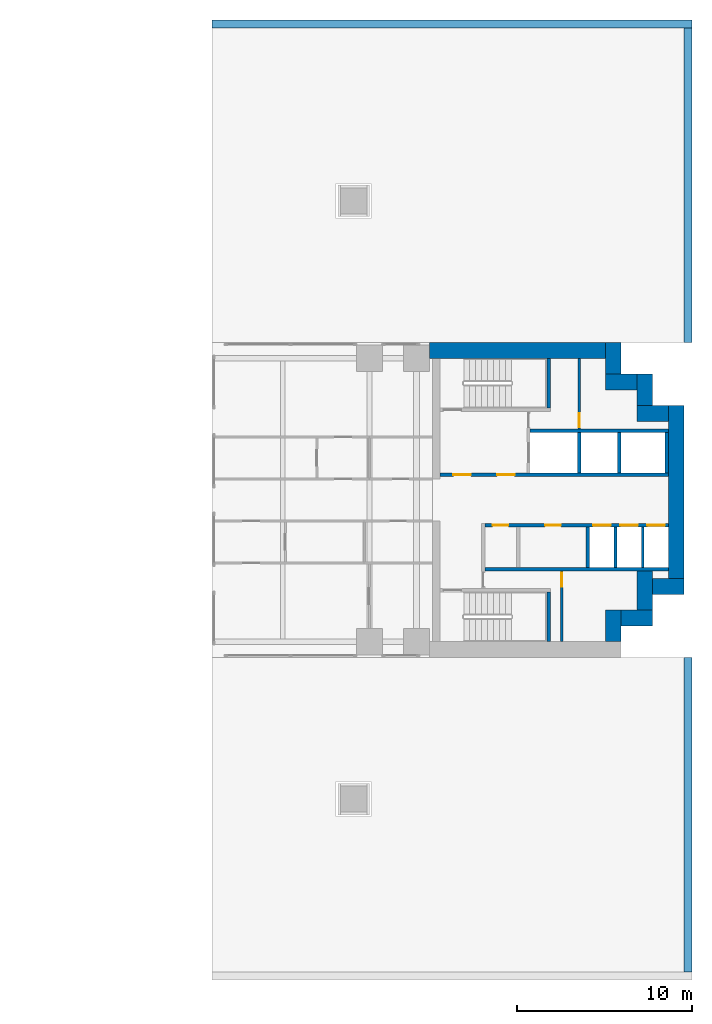
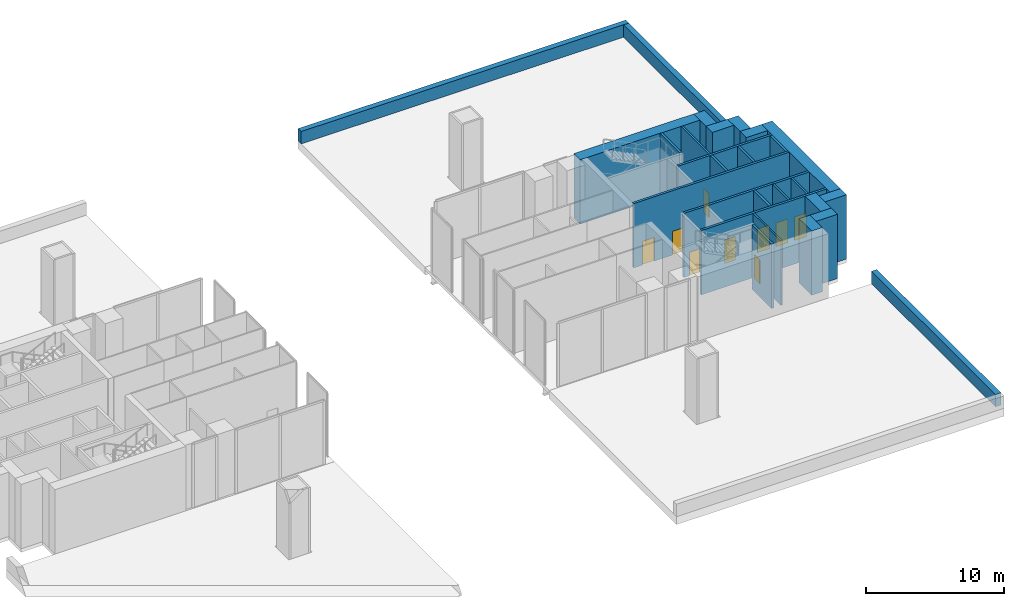
# One storey, part 9 of 13: 27 walls, 9 doors, 9 openings.
"""IFC4 building model written with IfcOpenShell, lengths in metres."""

from ifc_helpers import new_model, si_unit, direction, frame, frame_2d, origin, place, context, subcontext, project, spatial, rectangle, extrude, material, layer, layer_set, type_object, element, fill, save


model = new_model("IFC4")

# Units and contexts
model_context = context("Model", 3, precision=1e-05, world=origin(), true_north=direction((0.0, 1.0)))
body_context = subcontext(model_context, "Body", "Model", "MODEL_VIEW")
ifc_project = project(units=[si_unit("LENGTHUNIT", "METRE"), si_unit("AREAUNIT", "SQUARE_METRE"), si_unit("VOLUMEUNIT", "CUBIC_METRE"), si_unit("PLANEANGLEUNIT", "RADIAN"), si_unit("MASSUNIT", "GRAM", prefix="KILO")], contexts=[model_context])

# Site, building, storey
site_placement = place(None, origin())
site = spatial("IfcSite", under=ifc_project, at=site_placement, CompositionType="ELEMENT")
building_placement = place(site_placement, origin())
building = spatial("IfcBuilding", under=site, at=building_placement, Name="Perihelion Cross Residences", CompositionType="ELEMENT")
storey_placement = place(building_placement, frame((0.0, 0.0, 15.0)))
storey = spatial("IfcBuildingStorey", under=building, at=storey_placement, Name="L01", CompositionType="ELEMENT", Elevation=15.0)

# Walls
ifc_material_1 = material(Name="Concrete C60/75", Category="concrete")
ifc_layer_1 = layer(ifc_material_1, 0.89990234375)
ifc_layer_set_1 = layer_set([ifc_layer_1], Name="Core wall, outer 900")
wall_type_1 = type_object("IfcWallType", Name="Core wall, outer 900", PredefinedType="SHEAR", material=ifc_layer_set_1)
for number, where, z_axis, x_axis, name in (
    (1, (31.949951171875, -8.10009765625, 0.0), (0.0, 0.0, 1.0), (0.0, 1.0, 0.0), "East core core wall, outer"),
    (2, (32.39990234375, -6.75, 0.0), (0.0, 0.0, 1.0), (1.0, 0.0, 0.0), "East core core wall, outer"),
):
    element("IfcWall", number, at=place(storey_placement, frame(where, z_axis=z_axis, x_axis=x_axis)), inside=storey, type_object=wall_type_1, Name=name, PredefinedType="SHEAR", context=body_context, shape_type="SweptSolid", body=[
        extrude(rectangle(XDim=1.800048828125, YDim=0.89990234375, at=frame_2d((0.89990234375, 0.0))), origin(), (0.0, 0.0, 1.0), 5.699951171875),
    ])
wall_1_placement = place(storey_placement, frame((33.75, -6.300048828125, 0.0), z_axis=(0.0, 0.0, 1.0), x_axis=(0.0, 1.0, 0.0)))
element("IfcWall", 3, at=wall_1_placement, inside=storey, type_object=wall_type_1, Name="East core core wall, outer", PredefinedType="SHEAR", context=body_context, shape_type="SweptSolid", body=[
    extrude(rectangle(XDim=2.25, YDim=0.89990234375, at=frame_2d((1.125, 0.0))), origin(), (0.0, 0.0, 1.0), 5.699951171875),
])
wall_2_placement = place(storey_placement, frame((34.199951171875, -4.949951171875, 0.0), z_axis=(0.0, 0.0, 1.0), x_axis=(1.0, 0.0, 0.0)))
element("IfcWall", 4, at=wall_2_placement, inside=storey, type_object=wall_type_1, Name="East core core wall, outer", PredefinedType="SHEAR", context=body_context, shape_type="SweptSolid", body=[
    extrude(rectangle(XDim=1.800048828125, YDim=0.89990234375, at=frame_2d((0.89990234375, 0.0))), origin(), (0.0, 0.0, 1.0), 5.699951171875),
])
wall_3_placement = place(storey_placement, frame((35.550048828125, -4.5, 0.0), z_axis=(0.0, 0.0, 1.0), x_axis=(0.0, 1.0, 0.0)))
element("IfcWall", 5, at=wall_3_placement, inside=storey, type_object=wall_type_1, Name="East core core wall, outer", PredefinedType="SHEAR", context=body_context, shape_type="SweptSolid", body=[
    extrude(rectangle(XDim=9.89990234375, YDim=0.89990234375, at=frame_2d((4.949951171875, 0.0))), origin(), (0.0, 0.0, 1.0), 5.699951171875),
])
for number, where, z_axis, x_axis, name in (
    (6, (33.300048828125, 4.949951171875, 0.0), (0.0, 0.0, 1.0), (1.0, 0.0, 0.0), "East core core wall, outer"),
    (7, (33.75, 5.39990234375, 0.0), (0.0, 0.0, 1.0), (0.0, 1.0, 0.0), "East core core wall, outer"),
    (8, (31.5, 6.75, 0.0), (0.0, 0.0, 1.0), (1.0, 0.0, 0.0), "East core core wall, outer"),
    (9, (31.949951171875, 7.199951171875, 0.0), (0.0, 0.0, 1.0), (0.0, 1.0, 0.0), "East core core wall, outer"),
):
    element("IfcWall", number, at=place(storey_placement, frame(where, z_axis=z_axis, x_axis=x_axis)), inside=storey, type_object=wall_type_1, Name=name, PredefinedType="SHEAR", context=body_context, shape_type="SweptSolid", body=[
        extrude(rectangle(XDim=1.800048828125, YDim=0.89990234375, at=frame_2d((0.89990234375, 0.0))), origin(), (0.0, 0.0, 1.0), 5.699951171875),
    ])
wall_4_placement = place(storey_placement, frame((21.449951171875, 8.550048828125, 0.0), z_axis=(0.0, 0.0, 1.0), x_axis=(1.0, 0.0, 0.0)))
element("IfcWall", 10, at=wall_4_placement, inside=storey, type_object=wall_type_1, Name="East core core wall, outer", PredefinedType="SHEAR", context=body_context, shape_type="SweptSolid", body=[
    extrude(rectangle(XDim=10.050048828125, YDim=0.89990234375, at=frame_2d((5.02490234375, 0.0))), origin(), (0.0, 0.0, 1.0), 5.699951171875),
])
ifc_material_2 = material(Name="Concrete C40/50", Category="concrete")
ifc_layer_2 = layer(ifc_material_2, 0.449951171875)
ifc_layer_set_2 = layer_set([ifc_layer_2], Name="Loggia parapet 450")
wall_type_2 = type_object("IfcWallType", Name="Loggia parapet 450", PredefinedType="PARAPET", material=ifc_layer_set_2)
wall_5_placement = place(storey_placement, frame((9.0, 27.22509765625, 0.0), z_axis=(0.0, 0.0, 1.0), x_axis=(1.0, 0.0, 0.0)))
element("IfcWall", 11, at=wall_5_placement, inside=storey, type_object=wall_type_2, Name="Wall PP2 L01 loggia parapet north-east north-south", PredefinedType="PARAPET", context=body_context, shape_type="SweptSolid", body=[
    extrude(rectangle(XDim=27.449951171875, YDim=0.449951171875, at=frame_2d((13.72509765625, 0.0))), origin(), (0.0, 0.0, 1.0), 1.10009765625),
])
for number, where, z_axis, x_axis, name in (
    (12, (36.22509765625, 9.0, 0.0), (0.0, 0.0, 1.0), (0.0, 1.0, 0.0), "Wall PP2 L01 loggia parapet north-east east-west"),
    (13, (36.22509765625, -9.0, 0.0), (0.0, 0.0, 1.0), (0.0, -1.0, 0.0), "Wall PP2 L01 loggia parapet south-east east-west"),
):
    element("IfcWall", number, at=place(storey_placement, frame(where, z_axis=z_axis, x_axis=x_axis)), inside=storey, type_object=wall_type_2, Name=name, PredefinedType="PARAPET", context=body_context, shape_type="SweptSolid", body=[
        extrude(rectangle(XDim=18.0, YDim=0.449951171875, at=frame_2d((9.0, 0.0))), origin(), (0.0, 0.0, 1.0), 1.10009765625),
    ])

# Wall, opening, door
ifc_material_3 = material(Name="Fire-rated board on steel stud", Category="steel")
ifc_layer_3 = layer(ifc_material_3, 0.14990234375)
ifc_layer_set_3 = layer_set([ifc_layer_3], Name="Riser wall 150")
wall_type_3 = type_object("IfcWallType", Name="Riser wall 150", PredefinedType="PARTITIONING", material=ifc_layer_set_3)
wall_6_placement = place(storey_placement, frame((30.0, 4.050048828125, 0.0), z_axis=(0.0, 0.0, 1.0), x_axis=(0.0, 1.0, 0.0)))
wall_6 = element("IfcWall", 14, at=wall_6_placement, inside=storey, type_object=wall_type_3, Name="East core riser wall", PredefinedType="PARTITIONING", context=body_context, shape_type="SweptSolid", body=[
    extrude(rectangle(XDim=4.050048828125, YDim=0.14990234375, at=frame_2d((2.02490234375, 0.0))), origin(), (0.0, 0.0, 1.0), 5.699951171875),
])
opening_1_placement = place(wall_6_placement, frame((0.10009765625, 0.0, 0.0)))
opening_1 = element("IfcOpeningElement", 15, at=opening_1_placement, cuts=wall_6, Name="Opening L01.C14", PredefinedType="OPENING", context=body_context, shape_type="SweptSolid", body=[
    extrude(rectangle(XDim=0.800048828125, YDim=2.10009765625, at=frame_2d((0.39990234375, 1.050048828125))), frame((0.0, 0.0849609375, 0.0), z_axis=(0.0, -1.0, 0.0), x_axis=(1.0, 0.0, 0.0)), (0.0, 0.0, 1.0), 0.169921875),
])
ifc_material_4 = material(Name="Steel, powder coated", Category="steel")
door_type_1 = type_object("IfcDoorType", Name="Riser door 800", OperationType="SINGLE_SWING_LEFT", PredefinedType="DOOR", material=ifc_material_4)
door_1_placement = place(opening_1_placement, origin())
door_1 = element("IfcDoor", 16, at=door_1_placement, inside=storey, type_object=door_type_1, Name="East core riser door", OperationType="SINGLE_SWING_LEFT", OverallHeight=2.10009765625, OverallWidth=0.800048828125, PredefinedType="DOOR", context=body_context, shape_type="SweptSolid", body=[
    extrude(rectangle(XDim=0.800048828125, YDim=2.10009765625, at=frame_2d((0.39990234375, 1.050048828125))), frame((0.0, 0.02490234375, 0.0), z_axis=(0.0, -1.0, 0.0), x_axis=(1.0, 0.0, 0.0)), (0.0, 0.0, 1.0), 0.050048828125),
])
fill(opening_1, door_1)

wall_7_placement = place(storey_placement, frame((29.0, -8.10009765625, 0.0), z_axis=(0.0, 0.0, 1.0), x_axis=(0.0, 1.0, 0.0)))
wall_7 = element("IfcWall", 17, at=wall_7_placement, inside=storey, type_object=wall_type_3, Name="East core riser wall", PredefinedType="PARTITIONING", context=body_context, shape_type="SweptSolid", body=[
    extrude(rectangle(XDim=4.050048828125, YDim=0.14990234375, at=frame_2d((2.02490234375, 0.0))), origin(), (0.0, 0.0, 1.0), 5.699951171875),
])
opening_2_placement = place(wall_7_placement, frame((3.14990234375, 0.0, 0.0)))
opening_2 = element("IfcOpeningElement", 18, at=opening_2_placement, cuts=wall_7, Name="Opening L01.C13", PredefinedType="OPENING", context=body_context, shape_type="SweptSolid", body=[
    extrude(rectangle(XDim=0.800048828125, YDim=2.10009765625, at=frame_2d((0.39990234375, 1.050048828125))), frame((0.0, 0.0849609375, 0.0), z_axis=(0.0, -1.0, 0.0), x_axis=(1.0, 0.0, 0.0)), (0.0, 0.0, 1.0), 0.169921875),
])
door_2_placement = place(opening_2_placement, origin())
door_2 = element("IfcDoor", 19, at=door_2_placement, inside=storey, type_object=door_type_1, Name="East core riser door", OperationType="SINGLE_SWING_LEFT", OverallHeight=2.10009765625, OverallWidth=0.800048828125, PredefinedType="DOOR", context=body_context, shape_type="SweptSolid", body=[
    extrude(rectangle(XDim=0.800048828125, YDim=2.10009765625, at=frame_2d((0.39990234375, 1.050048828125))), frame((0.0, 0.02490234375, 0.0), z_axis=(0.0, -1.0, 0.0), x_axis=(1.0, 0.0, 0.0)), (0.0, 0.0, 1.0), 0.050048828125),
])
fill(opening_2, door_2)

# Walls
ifc_material_5 = material(Name="Concrete C50/60", Category="concrete")
ifc_layer_4 = layer(ifc_material_5, 0.14990234375)
ifc_layer_set_4 = layer_set([ifc_layer_4], Name="Shaft wall 150")
wall_type_4 = type_object("IfcWallType", Name="Shaft wall 150", PredefinedType="SOLIDWALL", material=ifc_layer_set_4)
for number, where, z_axis, x_axis, name in (
    (20, (32.074951171875, -3.85009765625, 0.0), (0.0, 0.0, 1.0), (0.0, 1.0, 0.0), "East core shaft wall"),
    (21, (33.625, -3.85009765625, 0.0), (0.0, 0.0, 1.0), (0.0, 1.0, 0.0), "East core shaft wall"),
):
    element("IfcWall", number, at=place(storey_placement, frame(where, z_axis=z_axis, x_axis=x_axis)), inside=storey, type_object=wall_type_4, Name=name, PredefinedType="SOLIDWALL", context=body_context, shape_type="SweptSolid", body=[
        extrude(rectangle(XDim=2.300048828125, YDim=0.14990234375, at=frame_2d((1.14990234375, 0.0))), origin(), (0.0, 0.0, 1.0), 5.699951171875),
    ])

# Wall, openings, doors
ifc_material_6 = material(Name="Concrete C50/60", Category="concrete")
ifc_layer_5 = layer(ifc_material_6, 0.199951171875)
ifc_layer_set_5 = layer_set([ifc_layer_5], Name="Shaft wall 200")
wall_type_5 = type_object("IfcWallType", Name="Shaft wall 200", PredefinedType="SOLIDWALL", material=ifc_layer_set_5)
wall_8_placement = place(storey_placement, frame((22.050048828125, 1.449951171875, 0.0), z_axis=(0.0, 0.0, 1.0), x_axis=(1.0, 0.0, 0.0)))
wall_8 = element("IfcWall", 22, at=wall_8_placement, inside=storey, type_object=wall_type_5, Name="East core shaft wall", PredefinedType="SOLIDWALL", context=body_context, shape_type="SweptSolid", body=[
    extrude(rectangle(XDim=13.050048828125, YDim=0.199951171875, at=frame_2d((6.52490234375, 0.0))), origin(), (0.0, 0.0, 1.0), 5.699951171875),
])
opening_3_placement = place(wall_8_placement, frame((0.75, 0.0, 0.0)))
opening_3 = element("IfcOpeningElement", 23, at=opening_3_placement, cuts=wall_8, Name="Opening L01.C07", PredefinedType="OPENING", context=body_context, shape_type="SweptSolid", body=[
    extrude(rectangle(XDim=1.0, YDim=2.10009765625, at=frame_2d((0.5, 1.050048828125))), frame((0.0, 0.10986328125, 0.0), z_axis=(0.0, -1.0, 0.0), x_axis=(1.0, 0.0, 0.0)), (0.0, 0.0, 1.0), 0.219970703125),
])
opening_4_placement = place(wall_8_placement, frame((3.25, 0.0, 0.0)))
opening_4 = element("IfcOpeningElement", 24, at=opening_4_placement, cuts=wall_8, Name="Opening L01.C10", PredefinedType="OPENING", context=body_context, shape_type="SweptSolid", body=[
    extrude(rectangle(XDim=1.0, YDim=2.10009765625, at=frame_2d((0.5, 1.050048828125))), frame((0.0, 0.10986328125, 0.0), z_axis=(0.0, -1.0, 0.0), x_axis=(1.0, 0.0, 0.0)), (0.0, 0.0, 1.0), 0.219970703125),
])
ifc_material_7 = material(Name="Steel, powder coated", Category="steel")
door_type_2 = type_object("IfcDoorType", Name="Lobby door 1000", OperationType="SINGLE_SWING_LEFT", PredefinedType="DOOR", material=ifc_material_7)
door_3_placement = place(opening_3_placement, origin())
door_3 = element("IfcDoor", 25, at=door_3_placement, inside=storey, type_object=door_type_2, Name="East core firefighting lobby door", OperationType="SINGLE_SWING_LEFT", OverallHeight=2.10009765625, OverallWidth=1.0, PredefinedType="DOOR", context=body_context, shape_type="SweptSolid", body=[
    extrude(rectangle(XDim=1.0, YDim=2.10009765625, at=frame_2d((0.5, 1.050048828125))), frame((0.0, 0.02490234375, 0.0), z_axis=(0.0, -1.0, 0.0), x_axis=(1.0, 0.0, 0.0)), (0.0, 0.0, 1.0), 0.050048828125),
])
fill(opening_3, door_3)
door_4_placement = place(opening_4_placement, origin())
door_4 = element("IfcDoor", 26, at=door_4_placement, inside=storey, type_object=door_type_2, Name="East core firefighting lobby door", OperationType="SINGLE_SWING_LEFT", OverallHeight=2.10009765625, OverallWidth=1.0, PredefinedType="DOOR", context=body_context, shape_type="SweptSolid", body=[
    extrude(rectangle(XDim=1.0, YDim=2.10009765625, at=frame_2d((0.5, 1.050048828125))), frame((0.0, 0.02490234375, 0.0), z_axis=(0.0, -1.0, 0.0), x_axis=(1.0, 0.0, 0.0)), (0.0, 0.0, 1.0), 0.050048828125),
])
fill(opening_4, door_4)

wall_9_placement = place(storey_placement, frame((24.60009765625, -1.449951171875, 0.0), z_axis=(0.0, 0.0, 1.0), x_axis=(1.0, 0.0, 0.0)))
wall_9 = element("IfcWall", 27, at=wall_9_placement, inside=storey, type_object=wall_type_5, Name="East core shaft wall", PredefinedType="SOLIDWALL", context=body_context, shape_type="SweptSolid", body=[
    extrude(rectangle(XDim=10.5, YDim=0.199951171875, at=frame_2d((5.25, 0.0))), origin(), (0.0, 0.0, 1.0), 5.699951171875),
])
opening_5_placement = place(wall_9_placement, frame((6.199951171875, 0.0, 0.0)))
opening_5 = element("IfcOpeningElement", 28, at=opening_5_placement, cuts=wall_9, Name="Opening L01.C02", PredefinedType="OPENING", context=body_context, shape_type="SweptSolid", body=[
    extrude(rectangle(XDim=1.0, YDim=2.10009765625, at=frame_2d((0.5, 1.050048828125))), frame((0.0, 0.10986328125, 0.0), z_axis=(0.0, -1.0, 0.0), x_axis=(1.0, 0.0, 0.0)), (0.0, 0.0, 1.0), 0.219970703125),
])
opening_6_placement = place(wall_9_placement, frame((7.75, 0.0, 0.0)))
opening_6 = element("IfcOpeningElement", 29, at=opening_6_placement, cuts=wall_9, Name="Opening L01.C03", PredefinedType="OPENING", context=body_context, shape_type="SweptSolid", body=[
    extrude(rectangle(XDim=1.0, YDim=2.10009765625, at=frame_2d((0.5, 1.050048828125))), frame((0.0, 0.10986328125, 0.0), z_axis=(0.0, -1.0, 0.0), x_axis=(1.0, 0.0, 0.0)), (0.0, 0.0, 1.0), 0.219970703125),
])
opening_7_placement = place(wall_9_placement, frame((9.300048828125, 0.0, 0.0)))
opening_7 = element("IfcOpeningElement", 30, at=opening_7_placement, cuts=wall_9, Name="Opening L01.C04", PredefinedType="OPENING", context=body_context, shape_type="SweptSolid", body=[
    extrude(rectangle(XDim=1.0, YDim=2.10009765625, at=frame_2d((0.5, 1.050048828125))), frame((0.0, 0.10986328125, 0.0), z_axis=(0.0, -1.0, 0.0), x_axis=(1.0, 0.0, 0.0)), (0.0, 0.0, 1.0), 0.219970703125),
])
opening_8_placement = place(wall_9_placement, frame((0.449951171875, 0.0, 0.0)))
opening_8 = element("IfcOpeningElement", 31, at=opening_8_placement, cuts=wall_9, Name="Opening L01.C09", PredefinedType="OPENING", context=body_context, shape_type="SweptSolid", body=[
    extrude(rectangle(XDim=0.89990234375, YDim=2.10009765625, at=frame_2d((0.449951171875, 1.050048828125))), frame((0.0, 0.10986328125, 0.0), z_axis=(0.0, -1.0, 0.0), x_axis=(1.0, 0.0, 0.0)), (0.0, 0.0, 1.0), 0.219970703125),
])
opening_9_placement = place(wall_9_placement, frame((3.449951171875, 0.0, 0.0)))
opening_9 = element("IfcOpeningElement", 32, at=opening_9_placement, cuts=wall_9, Name="Opening L01.C12", PredefinedType="OPENING", context=body_context, shape_type="SweptSolid", body=[
    extrude(rectangle(XDim=0.89990234375, YDim=2.10009765625, at=frame_2d((0.449951171875, 1.050048828125))), frame((0.0, 0.10986328125, 0.0), z_axis=(0.0, -1.0, 0.0), x_axis=(1.0, 0.0, 0.0)), (0.0, 0.0, 1.0), 0.219970703125),
])
ifc_material_8 = material(Name="Stainless steel", Category="steel")
door_type_3 = type_object("IfcDoorType", Name="Landing door 1000", OperationType="DOUBLE_DOOR_SLIDING", PredefinedType="DOOR", material=ifc_material_8)
door_5_placement = place(opening_5_placement, origin())
door_5 = element("IfcDoor", 33, at=door_5_placement, inside=storey, type_object=door_type_3, Name="Landing door, East core low-rise lift 1", OperationType="DOUBLE_DOOR_SLIDING", OverallHeight=2.10009765625, OverallWidth=1.0, PredefinedType="DOOR", context=body_context, shape_type="SweptSolid", body=[
    extrude(rectangle(XDim=1.0, YDim=2.10009765625, at=frame_2d((0.5, 1.050048828125))), frame((0.0, 0.02490234375, 0.0), z_axis=(0.0, -1.0, 0.0), x_axis=(1.0, 0.0, 0.0)), (0.0, 0.0, 1.0), 0.050048828125),
])
fill(opening_5, door_5)
door_6_placement = place(opening_6_placement, origin())
door_6 = element("IfcDoor", 34, at=door_6_placement, inside=storey, type_object=door_type_3, Name="Landing door, East core low-rise lift 2", OperationType="DOUBLE_DOOR_SLIDING", OverallHeight=2.10009765625, OverallWidth=1.0, PredefinedType="DOOR", context=body_context, shape_type="SweptSolid", body=[
    extrude(rectangle(XDim=1.0, YDim=2.10009765625, at=frame_2d((0.5, 1.050048828125))), frame((0.0, 0.02490234375, 0.0), z_axis=(0.0, -1.0, 0.0), x_axis=(1.0, 0.0, 0.0)), (0.0, 0.0, 1.0), 0.050048828125),
])
fill(opening_6, door_6)
door_7_placement = place(opening_7_placement, origin())
door_7 = element("IfcDoor", 35, at=door_7_placement, inside=storey, type_object=door_type_3, Name="Landing door, East core low-rise lift 3", OperationType="DOUBLE_DOOR_SLIDING", OverallHeight=2.10009765625, OverallWidth=1.0, PredefinedType="DOOR", context=body_context, shape_type="SweptSolid", body=[
    extrude(rectangle(XDim=1.0, YDim=2.10009765625, at=frame_2d((0.5, 1.050048828125))), frame((0.0, 0.02490234375, 0.0), z_axis=(0.0, -1.0, 0.0), x_axis=(1.0, 0.0, 0.0)), (0.0, 0.0, 1.0), 0.050048828125),
])
fill(opening_7, door_7)
ifc_material_9 = material(Name="Steel, powder coated", Category="steel")
door_type_4 = type_object("IfcDoorType", Name="Service room door 900", OperationType="SINGLE_SWING_LEFT", PredefinedType="DOOR", material=ifc_material_9)
door_8_placement = place(opening_8_placement, origin())
door_8 = element("IfcDoor", 36, at=door_8_placement, inside=storey, type_object=door_type_4, Name="East core service room door", OperationType="SINGLE_SWING_LEFT", OverallHeight=2.10009765625, OverallWidth=0.89990234375, PredefinedType="DOOR", context=body_context, shape_type="SweptSolid", body=[
    extrude(rectangle(XDim=0.89990234375, YDim=2.10009765625, at=frame_2d((0.449951171875, 1.050048828125))), frame((0.0, 0.02490234375, 0.0), z_axis=(0.0, -1.0, 0.0), x_axis=(1.0, 0.0, 0.0)), (0.0, 0.0, 1.0), 0.050048828125),
])
fill(opening_8, door_8)
door_9_placement = place(opening_9_placement, origin())
door_9 = element("IfcDoor", 37, at=door_9_placement, inside=storey, type_object=door_type_4, Name="East core service room door", OperationType="SINGLE_SWING_LEFT", OverallHeight=2.10009765625, OverallWidth=0.89990234375, PredefinedType="DOOR", context=body_context, shape_type="SweptSolid", body=[
    extrude(rectangle(XDim=0.89990234375, YDim=2.10009765625, at=frame_2d((0.449951171875, 1.050048828125))), frame((0.0, 0.02490234375, 0.0), z_axis=(0.0, -1.0, 0.0), x_axis=(1.0, 0.0, 0.0)), (0.0, 0.0, 1.0), 0.050048828125),
])
fill(opening_9, door_9)

# Walls
wall_10_placement = place(storey_placement, frame((27.199951171875, 3.949951171875, 0.0), z_axis=(0.0, 0.0, 1.0), x_axis=(1.0, 0.0, 0.0)))
element("IfcWall", 38, at=wall_10_placement, inside=storey, type_object=wall_type_5, Name="East core shaft wall", PredefinedType="SOLIDWALL", context=body_context, shape_type="SweptSolid", body=[
    extrude(rectangle(XDim=7.900146484375, YDim=0.199951171875, at=frame_2d((3.9501953125, 0.0))), origin(), (0.0, 0.0, 1.0), 5.699951171875),
])
wall_11_placement = place(storey_placement, frame((24.60009765625, -3.949951171875, 0.0), z_axis=(0.0, 0.0, 1.0), x_axis=(1.0, 0.0, 0.0)))
element("IfcWall", 39, at=wall_11_placement, inside=storey, type_object=wall_type_5, Name="East core shaft wall", PredefinedType="SOLIDWALL", context=body_context, shape_type="SweptSolid", body=[
    extrude(rectangle(XDim=10.5, YDim=0.199951171875, at=frame_2d((5.25, 0.0))), origin(), (0.0, 0.0, 1.0), 5.699951171875),
])
for number, where, z_axis, x_axis, name in (
    (40, (30.0, 1.550048828125, 0.0), (0.0, 0.0, 1.0), (0.0, 1.0, 0.0), "East core shaft wall"),
    (41, (32.300048828125, 1.550048828125, 0.0), (0.0, 0.0, 1.0), (0.0, 1.0, 0.0), "East core shaft wall"),
    (42, (35.0, 1.550048828125, 0.0), (0.0, 0.0, 1.0), (0.0, 1.0, 0.0), "East core shaft wall"),
    (43, (30.5, -3.85009765625, 0.0), (0.0, 0.0, 1.0), (0.0, 1.0, 0.0), "East core shaft wall"),
):
    element("IfcWall", number, at=place(storey_placement, frame(where, z_axis=z_axis, x_axis=x_axis)), inside=storey, type_object=wall_type_5, Name=name, PredefinedType="SOLIDWALL", context=body_context, shape_type="SweptSolid", body=[
        extrude(rectangle(XDim=2.300048828125, YDim=0.199951171875, at=frame_2d((1.14990234375, 0.0))), origin(), (0.0, 0.0, 1.0), 5.699951171875),
    ])
ifc_material_10 = material(Name="Concrete C50/60", Category="concrete")
ifc_layer_6 = layer(ifc_material_10, 0.199951171875)
ifc_layer_set_6 = layer_set([ifc_layer_6], Name="Stair wall 200")
wall_type_6 = type_object("IfcWallType", Name="Stair wall 200", PredefinedType="SOLIDWALL", material=ifc_layer_set_6)
for number, where, z_axis, x_axis, name in (
    (44, (28.25, 5.25, 0.0), (0.0, 0.0, 1.0), (0.0, 1.0, 0.0), "East core stair wall"),
    (45, (28.25, -8.10009765625, 0.0), (0.0, 0.0, 1.0), (0.0, 1.0, 0.0), "East core stair wall"),
):
    element("IfcWall", number, at=place(storey_placement, frame(where, z_axis=z_axis, x_axis=x_axis)), inside=storey, type_object=wall_type_6, Name=name, PredefinedType="SOLIDWALL", context=body_context, shape_type="SweptSolid", body=[
        extrude(rectangle(XDim=2.85009765625, YDim=0.199951171875, at=frame_2d((1.425048828125, 0.0))), origin(), (0.0, 0.0, 1.0), 5.699951171875),
    ])

save(model, "model.ifc")
